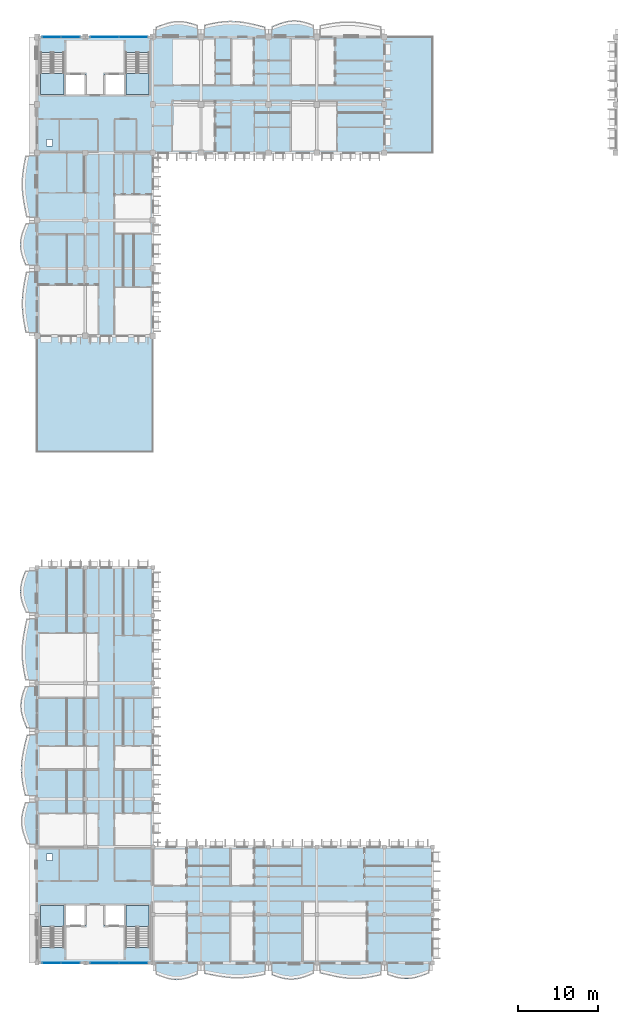
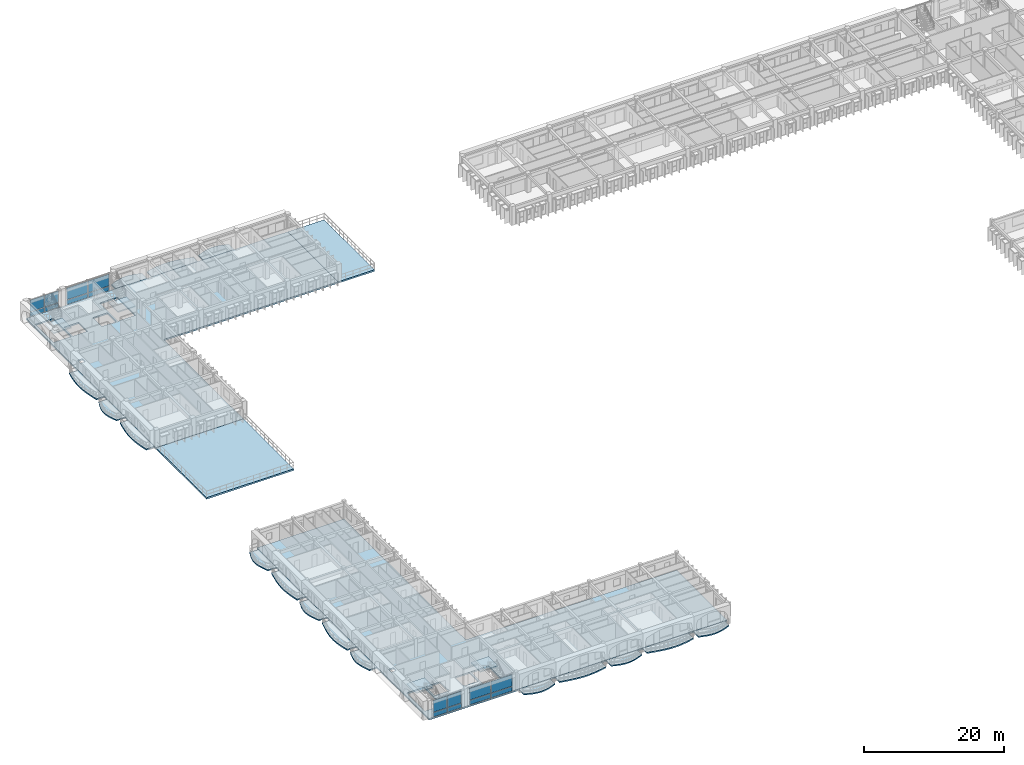
# One storey, part 10 of 66: 24 slabs, 16 plates, 8 elements without a shape of their own.
"""IFC4 building model written with IfcOpenShell, lengths in metres."""

from ifc_helpers import new_model, si_unit, direction, frame, origin, origin_2d, place, context, subcontext, project, spatial, polyline, rectangle, outline, extrude, material, layer, layer_set, type_object, element, aggregate, save


model = new_model("IFC4")

# Units and contexts
model_context = context("Model", 3, precision=1e-05, world=origin(), true_north=direction((0.0, 1.0)))
body_context = subcontext(model_context, "Body", "Model", "MODEL_VIEW")
ifc_project = project(units=[si_unit("LENGTHUNIT", "METRE"), si_unit("AREAUNIT", "SQUARE_METRE"), si_unit("VOLUMEUNIT", "CUBIC_METRE"), si_unit("PLANEANGLEUNIT", "RADIAN"), si_unit("MASSUNIT", "GRAM", prefix="KILO"), si_unit("THERMODYNAMICTEMPERATUREUNIT", "KELVIN")], contexts=[model_context])

# Site, building, storey
site_placement = place(None, origin())
site = spatial("IfcSite", under=ifc_project, at=site_placement, CompositionType="ELEMENT")
building_placement = place(site_placement, origin())
building = spatial("IfcBuilding", under=site, at=building_placement, Name="Thalorik Housing Commons", CompositionType="ELEMENT")
storey_placement = place(building_placement, frame((0.0, 0.0, 21.300048828125)))
storey = spatial("IfcBuildingStorey", under=building, at=storey_placement, Name="L06", CompositionType="ELEMENT", Elevation=21.300048828125)

# Curtain wall, plates
ifc_material_1 = material(Name="Anodised aluminium and solar-control low-E glass", Category="aluminium")
curtain_wall_type = type_object("IfcCurtainWallType", Name="ARC-CW-CORE", PredefinedType="USERDEFINED", material=ifc_material_1)
curtain_wall_1_placement = place(storey_placement, origin())
curtain_wall_1 = element("IfcCurtainWall", 1, at=curtain_wall_1_placement, inside=storey, type_object=curtain_wall_type, Name="L06 Curtain Wall CW-CORE-L06-C-153", ObjectType="CURTAIN WALL", PredefinedType="USERDEFINED")
ifc_material_2 = material(Name="Cobalt blue enamelled aluminium spandrel panel", Category="aluminium")
ifc_layer_1 = layer(ifc_material_2, 0.0458984375, Name="Cobalt blue enamelled aluminium spandrel panel", Category="aluminium")
ifc_layer_set_1 = layer_set([ifc_layer_1], Name="Cobalt blue enamelled aluminium spandrel panel")
plate_type_1 = type_object("IfcPlateType", Name="ARC-CP-BLU-46", PredefinedType="CURTAIN_PANEL", material=ifc_layer_set_1)
plate_1_placement = place(storey_placement, frame((10.22509765625, 8.39990234375, 0.080078125), z_axis=(0.0, 0.0, 1.0), x_axis=(1.0, 0.0, 0.0)))
plate_1 = element("IfcPlate", 2, at=plate_1_placement, type_object=plate_type_1, Name="CW-CORE-L06-C-153 Spandrel Panel 1", PredefinedType="CURTAIN_PANEL", context=body_context, shape_type="SweptSolid", body=[
    extrude(rectangle(XDim=2.2900390625, YDim=0.0458984375, at=origin_2d()), origin(), (0.0, 0.0, 1.0), 0.760009765625),
])
plate_2_placement = place(storey_placement, frame((12.574951171875, 8.39990234375, 0.080078125), z_axis=(0.0, 0.0, 1.0), x_axis=(1.0, 0.0, 0.0)))
plate_2 = element("IfcPlate", 3, at=plate_2_placement, type_object=plate_type_1, Name="CW-CORE-L06-C-153 Spandrel Panel 2", PredefinedType="CURTAIN_PANEL", context=body_context, shape_type="SweptSolid", body=[
    extrude(rectangle(XDim=2.2900390625, YDim=0.0458984375, at=origin_2d()), origin(), (0.0, 0.0, 1.0), 0.760009765625),
])

curtain_wall_2_placement = place(storey_placement, origin())
curtain_wall_2 = element("IfcCurtainWall", 4, at=curtain_wall_2_placement, inside=storey, type_object=curtain_wall_type, Name="L06 Curtain Wall CW-CORE-L06-A-027", ObjectType="CURTAIN WALL", PredefinedType="USERDEFINED")
ifc_material_3 = material(Name="Double solar-control low-E glass", Category="glass")
ifc_layer_2 = layer(ifc_material_3, 0.028076171875, Name="Double solar-control low-E glass", Category="glass")
ifc_layer_set_2 = layer_set([ifc_layer_2], Name="Double solar-control low-E glass")
plate_type_2 = type_object("IfcPlateType", Name="ARC-CP-GLZ-28", PredefinedType="CURTAIN_PANEL", material=ifc_layer_set_2)
plate_3_placement = place(storey_placement, frame((20.375, 123.60009765625, 0.919921875), z_axis=(0.0, 0.0, 1.0), x_axis=(-1.0, 0.0, 0.0)))
plate_3 = element("IfcPlate", 5, at=plate_3_placement, type_object=plate_type_2, Name="CW-CORE-L06-A-027 Vision Panel 1", PredefinedType="CURTAIN_PANEL", context=body_context, shape_type="SweptSolid", body=[
    extrude(rectangle(XDim=3.489990234375, YDim=0.028076171875, at=origin_2d()), origin(), (0.0, 0.0, 1.0), 2.0400390625),
])
plate_4_placement = place(storey_placement, frame((16.824951171875, 123.60009765625, 0.919921875), z_axis=(0.0, 0.0, 1.0), x_axis=(-1.0, 0.0, 0.0)))
plate_4 = element("IfcPlate", 6, at=plate_4_placement, type_object=plate_type_2, Name="CW-CORE-L06-A-027 Vision Panel 2", PredefinedType="CURTAIN_PANEL", context=body_context, shape_type="SweptSolid", body=[
    extrude(rectangle(XDim=3.489990234375, YDim=0.028076171875, at=origin_2d()), origin(), (0.0, 0.0, 1.0), 2.0400390625),
])

curtain_wall_3_placement = place(storey_placement, origin())
curtain_wall_3 = element("IfcCurtainWall", 7, at=curtain_wall_3_placement, inside=storey, type_object=curtain_wall_type, Name="L06 Curtain Wall CW-CORE-L06-A-028", ObjectType="CURTAIN WALL", PredefinedType="USERDEFINED")
plate_5_placement = place(storey_placement, frame((12.574951171875, 123.60009765625, 0.919921875), z_axis=(0.0, 0.0, 1.0), x_axis=(-1.0, 0.0, 0.0)))
plate_5 = element("IfcPlate", 8, at=plate_5_placement, type_object=plate_type_2, Name="CW-CORE-L06-A-028 Vision Panel 1", PredefinedType="CURTAIN_PANEL", context=body_context, shape_type="SweptSolid", body=[
    extrude(rectangle(XDim=2.2900390625, YDim=0.028076171875, at=origin_2d()), origin(), (0.0, 0.0, 1.0), 2.0400390625),
])
plate_6_placement = place(storey_placement, frame((10.22509765625, 123.60009765625, 0.919921875), z_axis=(0.0, 0.0, 1.0), x_axis=(-1.0, 0.0, 0.0)))
plate_6 = element("IfcPlate", 9, at=plate_6_placement, type_object=plate_type_2, Name="CW-CORE-L06-A-028 Vision Panel 2", PredefinedType="CURTAIN_PANEL", context=body_context, shape_type="SweptSolid", body=[
    extrude(rectangle(XDim=2.2900390625, YDim=0.028076171875, at=origin_2d()), origin(), (0.0, 0.0, 1.0), 2.0400390625),
])

# Plate
plate_7_placement = place(storey_placement, frame((10.22509765625, 8.39990234375, 0.919921875), z_axis=(0.0, 0.0, 1.0), x_axis=(1.0, 0.0, 0.0)))
plate_7 = element("IfcPlate", 10, at=plate_7_placement, type_object=plate_type_2, Name="CW-CORE-L06-C-153 Vision Panel 1", PredefinedType="CURTAIN_PANEL", context=body_context, shape_type="SweptSolid", body=[
    extrude(rectangle(XDim=2.2900390625, YDim=0.028076171875, at=origin_2d()), origin(), (0.0, 0.0, 1.0), 2.0400390625),
])

plate_8_placement = place(storey_placement, frame((12.574951171875, 8.39990234375, 0.919921875), z_axis=(0.0, 0.0, 1.0), x_axis=(1.0, 0.0, 0.0)))
plate_8 = element("IfcPlate", 11, at=plate_8_placement, type_object=plate_type_2, Name="CW-CORE-L06-C-153 Vision Panel 2", PredefinedType="CURTAIN_PANEL", context=body_context, shape_type="SweptSolid", body=[
    extrude(rectangle(XDim=2.2900390625, YDim=0.028076171875, at=origin_2d()), origin(), (0.0, 0.0, 1.0), 2.0400390625),
])

aggregate(curtain_wall_1, [plate_1, plate_7, plate_2, plate_8])

# Curtain wall, plates
curtain_wall_4_placement = place(storey_placement, origin())
curtain_wall_4 = element("IfcCurtainWall", 12, at=curtain_wall_4_placement, inside=storey, type_object=curtain_wall_type, Name="L06 Curtain Wall CW-CORE-L06-C-154", ObjectType="CURTAIN WALL", PredefinedType="USERDEFINED")
plate_9_placement = place(storey_placement, frame((16.824951171875, 8.39990234375, 0.919921875), z_axis=(0.0, 0.0, 1.0), x_axis=(1.0, 0.0, 0.0)))
plate_9 = element("IfcPlate", 13, at=plate_9_placement, type_object=plate_type_2, Name="CW-CORE-L06-C-154 Vision Panel 1", PredefinedType="CURTAIN_PANEL", context=body_context, shape_type="SweptSolid", body=[
    extrude(rectangle(XDim=3.489990234375, YDim=0.028076171875, at=origin_2d()), origin(), (0.0, 0.0, 1.0), 2.0400390625),
])
plate_10_placement = place(storey_placement, frame((20.375, 8.39990234375, 0.919921875), z_axis=(0.0, 0.0, 1.0), x_axis=(1.0, 0.0, 0.0)))
plate_10 = element("IfcPlate", 14, at=plate_10_placement, type_object=plate_type_2, Name="CW-CORE-L06-C-154 Vision Panel 2", PredefinedType="CURTAIN_PANEL", context=body_context, shape_type="SweptSolid", body=[
    extrude(rectangle(XDim=3.489990234375, YDim=0.028076171875, at=origin_2d()), origin(), (0.0, 0.0, 1.0), 2.0400390625),
])

# Plate
ifc_material_4 = material(Name="Oxide red enamelled aluminium spandrel panel", Category="aluminium")
ifc_layer_3 = layer(ifc_material_4, 0.0419921875, Name="Oxide red enamelled aluminium spandrel panel", Category="aluminium")
ifc_layer_set_3 = layer_set([ifc_layer_3], Name="Oxide red enamelled aluminium spandrel panel")
plate_type_3 = type_object("IfcPlateType", Name="ARC-CP-RED-42", PredefinedType="CURTAIN_PANEL", material=ifc_layer_set_3)
plate_11_placement = place(storey_placement, frame((12.574951171875, 123.60009765625, 0.080078125), z_axis=(0.0, 0.0, 1.0), x_axis=(-1.0, 0.0, 0.0)))
plate_11 = element("IfcPlate", 15, at=plate_11_placement, type_object=plate_type_3, Name="CW-CORE-L06-A-028 Spandrel Panel 1", PredefinedType="CURTAIN_PANEL", context=body_context, shape_type="SweptSolid", body=[
    extrude(rectangle(XDim=2.2900390625, YDim=0.0419921875, at=origin_2d()), origin(), (0.0, 0.0, 1.0), 0.760009765625),
])

plate_12_placement = place(storey_placement, frame((10.22509765625, 123.60009765625, 0.080078125), z_axis=(0.0, 0.0, 1.0), x_axis=(-1.0, 0.0, 0.0)))
plate_12 = element("IfcPlate", 16, at=plate_12_placement, type_object=plate_type_3, Name="CW-CORE-L06-A-028 Spandrel Panel 2", PredefinedType="CURTAIN_PANEL", context=body_context, shape_type="SweptSolid", body=[
    extrude(rectangle(XDim=2.2900390625, YDim=0.0419921875, at=origin_2d()), origin(), (0.0, 0.0, 1.0), 0.760009765625),
])

aggregate(curtain_wall_3, [plate_11, plate_5, plate_12, plate_6])

ifc_material_5 = material(Name="Mineral ochre yellow aluminium spandrel panel", Category="aluminium")
ifc_layer_4 = layer(ifc_material_5, 0.050048828125, Name="Mineral ochre yellow aluminium spandrel panel", Category="aluminium")
ifc_layer_set_4 = layer_set([ifc_layer_4], Name="Mineral ochre yellow aluminium spandrel panel")
plate_type_4 = type_object("IfcPlateType", Name="ARC-CP-YEL-50", PredefinedType="CURTAIN_PANEL", material=ifc_layer_set_4)
plate_13_placement = place(storey_placement, frame((20.375, 123.60009765625, 0.080078125), z_axis=(0.0, 0.0, 1.0), x_axis=(-1.0, 0.0, 0.0)))
plate_13 = element("IfcPlate", 17, at=plate_13_placement, type_object=plate_type_4, Name="CW-CORE-L06-A-027 Spandrel Panel 1", PredefinedType="CURTAIN_PANEL", context=body_context, shape_type="SweptSolid", body=[
    extrude(rectangle(XDim=3.489990234375, YDim=0.050048828125, at=origin_2d()), origin(), (0.0, 0.0, 1.0), 0.760009765625),
])

plate_14_placement = place(storey_placement, frame((16.824951171875, 123.60009765625, 0.080078125), z_axis=(0.0, 0.0, 1.0), x_axis=(-1.0, 0.0, 0.0)))
plate_14 = element("IfcPlate", 18, at=plate_14_placement, type_object=plate_type_4, Name="CW-CORE-L06-A-027 Spandrel Panel 2", PredefinedType="CURTAIN_PANEL", context=body_context, shape_type="SweptSolid", body=[
    extrude(rectangle(XDim=3.489990234375, YDim=0.050048828125, at=origin_2d()), origin(), (0.0, 0.0, 1.0), 0.760009765625),
])

aggregate(curtain_wall_2, [plate_13, plate_3, plate_14, plate_4])

plate_15_placement = place(storey_placement, frame((16.824951171875, 8.39990234375, 0.080078125), z_axis=(0.0, 0.0, 1.0), x_axis=(1.0, 0.0, 0.0)))
plate_15 = element("IfcPlate", 19, at=plate_15_placement, type_object=plate_type_4, Name="CW-CORE-L06-C-154 Spandrel Panel 1", PredefinedType="CURTAIN_PANEL", context=body_context, shape_type="SweptSolid", body=[
    extrude(rectangle(XDim=3.489990234375, YDim=0.050048828125, at=origin_2d()), origin(), (0.0, 0.0, 1.0), 0.760009765625),
])

plate_16_placement = place(storey_placement, frame((20.375, 8.39990234375, 0.080078125), z_axis=(0.0, 0.0, 1.0), x_axis=(1.0, 0.0, 0.0)))
plate_16 = element("IfcPlate", 20, at=plate_16_placement, type_object=plate_type_4, Name="CW-CORE-L06-C-154 Spandrel Panel 2", PredefinedType="CURTAIN_PANEL", context=body_context, shape_type="SweptSolid", body=[
    extrude(rectangle(XDim=3.489990234375, YDim=0.050048828125, at=origin_2d()), origin(), (0.0, 0.0, 1.0), 0.760009765625),
])

aggregate(curtain_wall_4, [plate_15, plate_9, plate_16, plate_10])

# Stair, slab
ifc_material_6 = material(Name="Precast concrete C40/50", Category="concrete")
stair_type = type_object("IfcStairType", Name="ARC-STR-1350-R20", PredefinedType="HALF_TURN_STAIR", material=ifc_material_6)
stair_1_placement = place(storey_placement, origin())
stair_1 = element("IfcStair", 21, at=stair_1_placement, inside=storey, type_object=stair_type, Name="L06 Block A Smoke-Proof Stair 1", PredefinedType="HALF_TURN_STAIR")
ifc_layer_5 = layer(ifc_material_6, 0.199951171875, Name="Precast concrete C40/50", Category="concrete")
ifc_layer_set_5 = layer_set([ifc_layer_5], Name="Precast concrete C40/50")
slab_type_1 = type_object("IfcSlabType", Name="ARC-SLB-STLND-200", PredefinedType="LANDING", material=ifc_layer_set_5)
slab_1_placement = place(storey_placement, frame((0.0, 0.0, 1.449951171875)))
slab_1 = element("IfcSlab", 22, at=slab_1_placement, type_object=slab_type_1, Name="ST-A1 landing 1", PredefinedType="LANDING", context=body_context, shape_type="SweptSolid", body=[
    extrude(outline(polyline([(8.85009765625, 119.090087890625), (8.85009765625, 116.449951171875), (11.75, 116.449951171875), (11.75, 119.090087890625), (8.85009765625, 119.090087890625)])), origin(), (0.0, 0.0, 1.0), 0.199951171875),
])
aggregate(stair_1, [slab_1])

stair_2_placement = place(storey_placement, origin())
stair_2 = element("IfcStair", 23, at=stair_2_placement, inside=storey, type_object=stair_type, Name="L06 Block A Smoke-Proof Stair 2", PredefinedType="HALF_TURN_STAIR")
slab_2_placement = place(storey_placement, frame((0.0, 0.0, 1.449951171875)))
slab_2 = element("IfcSlab", 24, at=slab_2_placement, type_object=slab_type_1, Name="ST-A2 landing 1", PredefinedType="LANDING", context=body_context, shape_type="SweptSolid", body=[
    extrude(outline(polyline([(19.449951171875, 119.090087890625), (19.449951171875, 116.449951171875), (22.35009765625, 116.449951171875), (22.35009765625, 119.090087890625), (19.449951171875, 119.090087890625)])), origin(), (0.0, 0.0, 1.0), 0.199951171875),
])
aggregate(stair_2, [slab_2])

stair_3_placement = place(storey_placement, origin())
stair_3 = element("IfcStair", 25, at=stair_3_placement, inside=storey, type_object=stair_type, Name="L06 Block C Smoke-Proof Stair 1", PredefinedType="HALF_TURN_STAIR")
slab_3_placement = place(storey_placement, frame((0.0, 0.0, 1.449951171875)))
slab_3 = element("IfcSlab", 26, at=slab_3_placement, type_object=slab_type_1, Name="ST-C1 landing 1", PredefinedType="LANDING", context=body_context, shape_type="SweptSolid", body=[
    extrude(outline(polyline([(11.75, 12.909912109375), (11.75, 15.550048828125), (8.85009765625, 15.550048828125), (8.85009765625, 12.909912109375), (11.75, 12.909912109375)])), origin(), (0.0, 0.0, 1.0), 0.199951171875),
])
aggregate(stair_3, [slab_3])

stair_4_placement = place(storey_placement, origin())
stair_4 = element("IfcStair", 27, at=stair_4_placement, inside=storey, type_object=stair_type, Name="L06 Block C Smoke-Proof Stair 2", PredefinedType="HALF_TURN_STAIR")
slab_4_placement = place(storey_placement, frame((0.0, 0.0, 1.449951171875)))
slab_4 = element("IfcSlab", 28, at=slab_4_placement, type_object=slab_type_1, Name="ST-C2 landing 1", PredefinedType="LANDING", context=body_context, shape_type="SweptSolid", body=[
    extrude(outline(polyline([(22.35009765625, 12.909912109375), (22.35009765625, 15.550048828125), (19.449951171875, 15.550048828125), (19.449951171875, 12.909912109375), (22.35009765625, 12.909912109375)])), origin(), (0.0, 0.0, 1.0), 0.199951171875),
])
aggregate(stair_4, [slab_4])

# Slabs
ifc_layer_6 = layer(ifc_material_6, 0.199951171875, Name="Precast concrete C40/50", Category="concrete")
ifc_layer_set_6 = layer_set([ifc_layer_6], Name="Precast concrete C40/50")
slab_type_2 = type_object("IfcSlabType", Name="STR-SLB-BALC-200", PredefinedType="FLOOR", material=ifc_layer_set_6)
slab_5_placement = place(storey_placement, frame((0.0, 0.0, -0.199951171875)))
element("IfcSlab", 29, at=slab_5_placement, inside=storey, type_object=slab_type_2, Name="L06 Block A Cushion Balcony 41", PredefinedType="FLOOR", context=body_context, shape_type="SweptSolid", body=[
    extrude(outline(polyline([(23.219970703125, 123.60009765625), (28.3798828125, 123.60009765625), (28.3798828125, 125.0595703125), (27.949951171875, 125.201904296875), (27.52001953125, 125.330810546875), (27.090087890625, 125.43701171875), (26.659912109375, 125.512451171875), (26.22998046875, 125.55126953125), (25.800048828125, 125.55029296875), (25.3701171875, 125.50830078125), (24.93994140625, 125.42822265625), (24.510009765625, 125.314453125), (24.080078125, 125.174072265625), (23.64990234375, 125.0166015625), (23.219970703125, 124.85205078125), (23.219970703125, 123.60009765625)])), origin(), (0.0, 0.0, 1.0), 0.199951171875),
])
slab_6_placement = place(storey_placement, frame((0.0, 0.0, -0.199951171875)))
element("IfcSlab", 30, at=slab_6_placement, inside=storey, type_object=slab_type_2, Name="L06 Block A Cushion Balcony 43", PredefinedType="FLOOR", context=body_context, shape_type="SweptSolid", body=[
    extrude(outline(polyline([(37.6201171875, 123.60009765625), (42.780029296875, 123.60009765625), (42.780029296875, 125.087646484375), (42.35009765625, 125.24560546875), (41.919921875, 125.388916015625), (41.489990234375, 125.507080078125), (41.06005859375, 125.592041015625), (40.6298828125, 125.6376953125), (40.199951171875, 125.640380859375), (39.77001953125, 125.599365234375), (39.340087890625, 125.5166015625), (38.909912109375, 125.397216796875), (38.47998046875, 125.248291015625), (38.050048828125, 125.07958984375), (37.6201171875, 124.901611328125), (37.6201171875, 123.60009765625)])), origin(), (0.0, 0.0, 1.0), 0.199951171875),
])
slab_7_placement = place(storey_placement, frame((0.0, 0.0, -0.199951171875)))
element("IfcSlab", 31, at=slab_7_placement, inside=storey, type_object=slab_type_2, Name="L06 Block A Cushion Balcony 46", PredefinedType="FLOOR", context=body_context, shape_type="SweptSolid", body=[
    extrude(outline(polyline([(8.39990234375, 95.219970703125), (8.39990234375, 100.3798828125), (6.994140625, 100.3798828125), (6.8154296875, 99.949951171875), (6.6494140625, 99.52001953125), (6.5068359375, 99.090087890625), (6.39697265625, 98.659912109375), (6.326904296875, 98.22998046875), (6.301025390625, 97.800048828125), (6.321044921875, 97.3701171875), (6.385498046875, 96.93994140625), (6.490234375, 96.510009765625), (6.628173828125, 96.080078125), (6.790283203125, 95.64990234375), (6.96630859375, 95.219970703125), (8.39990234375, 95.219970703125)])), origin(), (0.0, 0.0, 1.0), 0.199951171875),
])
slab_8_placement = place(storey_placement, frame((0.0, 0.0, -0.199951171875)))
element("IfcSlab", 32, at=slab_8_placement, inside=storey, type_object=slab_type_2, Name="L06 Block C Cushion Balcony 291", PredefinedType="FLOOR", context=body_context, shape_type="SweptSolid", body=[
    extrude(outline(polyline([(8.39990234375, 23.219970703125), (8.39990234375, 28.3798828125), (6.9404296875, 28.3798828125), (6.798095703125, 27.949951171875), (6.669189453125, 27.52001953125), (6.56298828125, 27.090087890625), (6.487548828125, 26.659912109375), (6.44873046875, 26.22998046875), (6.44970703125, 25.800048828125), (6.49169921875, 25.3701171875), (6.57177734375, 24.93994140625), (6.685546875, 24.510009765625), (6.825927734375, 24.080078125), (6.9833984375, 23.64990234375), (7.14794921875, 23.219970703125), (8.39990234375, 23.219970703125)])), origin(), (0.0, 0.0, 1.0), 0.199951171875),
])
slab_9_placement = place(storey_placement, frame((0.0, 0.0, -0.199951171875)))
element("IfcSlab", 33, at=slab_9_placement, inside=storey, type_object=slab_type_2, Name="L06 Block C Cushion Balcony 293", PredefinedType="FLOOR", context=body_context, shape_type="SweptSolid", body=[
    extrude(outline(polyline([(8.39990234375, 37.6201171875), (8.39990234375, 42.780029296875), (6.912353515625, 42.780029296875), (6.75439453125, 42.35009765625), (6.611083984375, 41.919921875), (6.492919921875, 41.489990234375), (6.407958984375, 41.06005859375), (6.3623046875, 40.6298828125), (6.359619140625, 40.199951171875), (6.400634765625, 39.77001953125), (6.4833984375, 39.340087890625), (6.602783203125, 38.909912109375), (6.751708984375, 38.47998046875), (6.92041015625, 38.050048828125), (7.098388671875, 37.6201171875), (8.39990234375, 37.6201171875)])), origin(), (0.0, 0.0, 1.0), 0.199951171875),
])
slab_10_placement = place(storey_placement, frame((0.0, 0.0, -0.199951171875)))
element("IfcSlab", 34, at=slab_10_placement, inside=storey, type_object=slab_type_2, Name="L06 Block C Cushion Balcony 295", PredefinedType="FLOOR", context=body_context, shape_type="SweptSolid", body=[
    extrude(outline(polyline([(8.39990234375, 52.02001953125), (8.39990234375, 57.179931640625), (6.95361328125, 57.179931640625), (6.77978515625, 56.75), (6.619873046875, 56.320068359375), (6.484619140625, 55.889892578125), (6.3828125, 55.4599609375), (6.3212890625, 55.030029296875), (6.30419921875, 54.60009765625), (6.332763671875, 54.169921875), (6.4052734375, 53.739990234375), (6.517578125, 53.31005859375), (6.661865234375, 52.8798828125), (6.82958984375, 52.449951171875), (7.00927734375, 52.02001953125), (8.39990234375, 52.02001953125)])), origin(), (0.0, 0.0, 1.0), 0.199951171875),
])
slab_11_placement = place(storey_placement, frame((0.0, 0.0, -0.199951171875)))
element("IfcSlab", 35, at=slab_11_placement, inside=storey, type_object=slab_type_2, Name="L06 Block C Cushion Balcony 296", PredefinedType="FLOOR", context=body_context, shape_type="SweptSolid", body=[
    extrude(outline(polyline([(23.219970703125, 6.96630859375), (23.64990234375, 6.790283203125), (24.080078125, 6.628173828125), (24.510009765625, 6.490234375), (24.93994140625, 6.385498046875), (25.3701171875, 6.321044921875), (25.800048828125, 6.301025390625), (26.22998046875, 6.326904296875), (26.659912109375, 6.39697265625), (27.090087890625, 6.5068359375), (27.52001953125, 6.6494140625), (27.949951171875, 6.8154296875), (28.3798828125, 6.994140625), (28.3798828125, 8.39990234375), (23.219970703125, 8.39990234375), (23.219970703125, 6.96630859375)])), origin(), (0.0, 0.0, 1.0), 0.199951171875),
])
slab_12_placement = place(storey_placement, frame((0.0, 0.0, -0.199951171875)))
element("IfcSlab", 36, at=slab_12_placement, inside=storey, type_object=slab_type_2, Name="L06 Block C Cushion Balcony 298", PredefinedType="FLOOR", context=body_context, shape_type="SweptSolid", body=[
    extrude(outline(polyline([(37.6201171875, 6.91455078125), (38.050048828125, 6.753662109375), (38.47998046875, 6.607666015625), (38.909912109375, 6.486572265625), (39.340087890625, 6.39892578125), (39.77001953125, 6.35107421875), (40.199951171875, 6.3466796875), (40.6298828125, 6.38623046875), (41.06005859375, 6.46826171875), (41.489990234375, 6.58740234375), (41.919921875, 6.736328125), (42.35009765625, 6.906005859375), (42.780029296875, 7.0849609375), (42.780029296875, 8.39990234375), (37.6201171875, 8.39990234375), (37.6201171875, 6.91455078125)])), origin(), (0.0, 0.0, 1.0), 0.199951171875),
])
slab_13_placement = place(storey_placement, frame((0.0, 0.0, -0.199951171875)))
element("IfcSlab", 37, at=slab_13_placement, inside=storey, type_object=slab_type_2, Name="L06 Block C Cushion Balcony 300", PredefinedType="FLOOR", context=body_context, shape_type="SweptSolid", body=[
    extrude(outline(polyline([(52.02001953125, 6.93115234375), (52.449951171875, 6.78662109375), (52.8798828125, 6.656005859375), (53.31005859375, 6.54833984375), (53.739990234375, 6.47216796875), (54.169921875, 6.43310546875), (54.60009765625, 6.4345703125), (55.030029296875, 6.47705078125), (55.4599609375, 6.55859375), (55.889892578125, 6.67431640625), (56.320068359375, 6.81689453125), (56.75, 6.976806640625), (57.179931640625, 7.144287109375), (57.179931640625, 8.39990234375), (52.02001953125, 8.39990234375), (52.02001953125, 6.93115234375)])), origin(), (0.0, 0.0, 1.0), 0.199951171875),
])
ifc_layer_7 = layer(ifc_material_6, 0.219970703125, Name="Precast concrete C40/50", Category="concrete")
ifc_layer_set_7 = layer_set([ifc_layer_7], Name="Precast concrete C40/50")
slab_type_3 = type_object("IfcSlabType", Name="STR-SLB-BALC-220", PredefinedType="FLOOR", material=ifc_layer_set_7)
slab_14_placement = place(storey_placement, frame((0.0, 0.0, -0.219970703125)))
element("IfcSlab", 38, at=slab_14_placement, inside=storey, type_object=slab_type_3, Name="L06 Block A Cushion Balcony 42", PredefinedType="FLOOR", context=body_context, shape_type="SweptSolid", body=[
    extrude(outline(polyline([(29.219970703125, 123.60009765625), (36.780029296875, 123.60009765625), (36.780029296875, 124.8525390625), (36.14990234375, 125.0087890625), (35.52001953125, 125.162841796875), (34.889892578125, 125.3046875), (34.260009765625, 125.424072265625), (33.6298828125, 125.51318359375), (33.0, 125.5654296875), (32.3701171875, 125.5771484375), (31.739990234375, 125.54736328125), (31.110107421875, 125.477783203125), (30.47998046875, 125.373046875), (29.85009765625, 125.239990234375), (29.219970703125, 125.087890625), (29.219970703125, 123.60009765625)])), origin(), (0.0, 0.0, 1.0), 0.219970703125),
])
slab_15_placement = place(storey_placement, frame((0.0, 0.0, -0.219970703125)))
element("IfcSlab", 39, at=slab_15_placement, inside=storey, type_object=slab_type_3, Name="L06 Block A Cushion Balcony 45", PredefinedType="FLOOR", context=body_context, shape_type="SweptSolid", body=[
    extrude(outline(polyline([(8.39990234375, 86.820068359375), (8.39990234375, 94.3798828125), (7.052734375, 94.3798828125), (6.92529296875, 93.75), (6.8046875, 93.1201171875), (6.698974609375, 92.489990234375), (6.614990234375, 91.860107421875), (6.558837890625, 91.22998046875), (6.533935546875, 90.60009765625), (6.5419921875, 89.969970703125), (6.5830078125, 89.340087890625), (6.65380859375, 88.7099609375), (6.749755859375, 88.080078125), (6.86474609375, 87.449951171875), (6.9912109375, 86.820068359375), (8.39990234375, 86.820068359375)])), origin(), (0.0, 0.0, 1.0), 0.219970703125),
])
slab_16_placement = place(storey_placement, frame((0.0, 0.0, -0.219970703125)))
element("IfcSlab", 40, at=slab_16_placement, inside=storey, type_object=slab_type_3, Name="L06 Block A Cushion Balcony 47", PredefinedType="FLOOR", context=body_context, shape_type="SweptSolid", body=[
    extrude(outline(polyline([(8.39990234375, 101.219970703125), (8.39990234375, 108.780029296875), (6.963623046875, 108.780029296875), (6.83447265625, 108.14990234375), (6.71875, 107.52001953125), (6.62451171875, 106.889892578125), (6.557861328125, 106.260009765625), (6.52294921875, 105.6298828125), (6.522216796875, 105.0), (6.55517578125, 104.3701171875), (6.6201171875, 103.739990234375), (6.7119140625, 103.110107421875), (6.82470703125, 102.47998046875), (6.951171875, 101.85009765625), (7.082275390625, 101.219970703125), (8.39990234375, 101.219970703125)])), origin(), (0.0, 0.0, 1.0), 0.219970703125),
])
slab_17_placement = place(storey_placement, frame((0.0, 0.0, -0.219970703125)))
element("IfcSlab", 41, at=slab_17_placement, inside=storey, type_object=slab_type_3, Name="L06 Block C Cushion Balcony 292", PredefinedType="FLOOR", context=body_context, shape_type="SweptSolid", body=[
    extrude(outline(polyline([(8.39990234375, 29.219970703125), (8.39990234375, 36.780029296875), (7.1474609375, 36.780029296875), (6.9912109375, 36.14990234375), (6.837158203125, 35.52001953125), (6.6953125, 34.889892578125), (6.575927734375, 34.260009765625), (6.48681640625, 33.6298828125), (6.4345703125, 33.0), (6.4228515625, 32.3701171875), (6.45263671875, 31.739990234375), (6.522216796875, 31.110107421875), (6.626953125, 30.47998046875), (6.760009765625, 29.85009765625), (6.912109375, 29.219970703125), (8.39990234375, 29.219970703125)])), origin(), (0.0, 0.0, 1.0), 0.219970703125),
])
slab_18_placement = place(storey_placement, frame((0.0, 0.0, -0.219970703125)))
element("IfcSlab", 42, at=slab_18_placement, inside=storey, type_object=slab_type_3, Name="L06 Block C Cushion Balcony 294", PredefinedType="FLOOR", context=body_context, shape_type="SweptSolid", body=[
    extrude(outline(polyline([(8.39990234375, 43.6201171875), (8.39990234375, 51.179931640625), (7.095703125, 51.179931640625), (6.962158203125, 50.550048828125), (6.83251953125, 49.919921875), (6.715576171875, 49.2900390625), (6.619384765625, 48.659912109375), (6.55029296875, 48.030029296875), (6.513427734375, 47.39990234375), (6.510986328125, 46.77001953125), (6.543701171875, 46.139892578125), (6.609130859375, 45.510009765625), (6.703369140625, 44.8798828125), (6.820068359375, 44.25), (6.951416015625, 43.6201171875), (8.39990234375, 43.6201171875)])), origin(), (0.0, 0.0, 1.0), 0.219970703125),
])
slab_19_placement = place(storey_placement, frame((0.0, 0.0, -0.219970703125)))
element("IfcSlab", 43, at=slab_19_placement, inside=storey, type_object=slab_type_3, Name="L06 Block C Cushion Balcony 297", PredefinedType="FLOOR", context=body_context, shape_type="SweptSolid", body=[
    extrude(outline(polyline([(29.219970703125, 7.082275390625), (29.85009765625, 6.951171875), (30.47998046875, 6.82470703125), (31.110107421875, 6.7119140625), (31.739990234375, 6.6201171875), (32.3701171875, 6.55517578125), (33.0, 6.522216796875), (33.6298828125, 6.52294921875), (34.260009765625, 6.557861328125), (34.889892578125, 6.62451171875), (35.52001953125, 6.71875), (36.14990234375, 6.83447265625), (36.780029296875, 6.963623046875), (36.780029296875, 8.39990234375), (29.219970703125, 8.39990234375), (29.219970703125, 7.082275390625)])), origin(), (0.0, 0.0, 1.0), 0.219970703125),
])
slab_20_placement = place(storey_placement, frame((0.0, 0.0, -0.219970703125)))
element("IfcSlab", 44, at=slab_20_placement, inside=storey, type_object=slab_type_3, Name="L06 Block C Cushion Balcony 299", PredefinedType="FLOOR", context=body_context, shape_type="SweptSolid", body=[
    extrude(outline(polyline([(43.6201171875, 7.143310546875), (44.25, 6.9912109375), (44.8798828125, 6.84130859375), (45.510009765625, 6.70361328125), (46.139892578125, 6.58740234375), (46.77001953125, 6.500732421875), (47.39990234375, 6.44970703125), (48.030029296875, 6.438232421875), (48.659912109375, 6.46728515625), (49.2900390625, 6.534912109375), (49.919921875, 6.63671875), (50.550048828125, 6.765869140625), (51.179931640625, 6.9140625), (51.179931640625, 8.39990234375), (43.6201171875, 8.39990234375), (43.6201171875, 7.143310546875)])), origin(), (0.0, 0.0, 1.0), 0.219970703125),
])
ifc_material_7 = material(Name="Precast concrete C45/55", Category="concrete")
ifc_layer_8 = layer(ifc_material_7, 0.260009765625, Name="Precast concrete C45/55", Category="concrete")
ifc_layer_set_8 = layer_set([ifc_layer_8], Name="Precast concrete C45/55")
slab_type_4 = type_object("IfcSlabType", Name="STR-SLB-HC-260", PredefinedType="FLOOR", material=ifc_layer_set_8)
slab_21_placement = place(storey_placement, frame((0.0, 0.0, -0.260009765625)))
element("IfcSlab", 45, at=slab_21_placement, inside=storey, type_object=slab_type_4, Name="L06 Residential Block A Floor Slab", PredefinedType="FLOOR", context=body_context, shape_type="SweptSolid", body=[
    extrude(outline(polyline([(8.39990234375, 123.60009765625), (8.39990234375, 109.199951171875), (8.39990234375, 86.39990234375), (22.800048828125, 86.39990234375), (22.800048828125, 109.199951171875), (51.60009765625, 109.199951171875), (51.60009765625, 123.60009765625), (8.39990234375, 123.60009765625)]), holes=[polyline([(8.85009765625, 121.64990234375), (11.75, 121.64990234375), (11.75, 116.449951171875), (8.85009765625, 116.449951171875), (8.85009765625, 121.64990234375)]), polyline([(22.35009765625, 121.64990234375), (22.35009765625, 116.449951171875), (19.449951171875, 116.449951171875), (19.449951171875, 121.64990234375), (22.35009765625, 121.64990234375)]), polyline([(14.39990234375, 119.0), (14.39990234375, 116.449951171875), (12.0, 116.449951171875), (12.0, 119.0), (14.39990234375, 119.0)]), polyline([(19.199951171875, 116.449951171875), (16.800048828125, 116.449951171875), (16.800048828125, 119.0), (19.199951171875, 119.0), (19.199951171875, 116.449951171875)]), polyline([(9.550048828125, 110.050048828125), (9.550048828125, 110.85009765625), (10.35009765625, 110.85009765625), (10.35009765625, 110.050048828125), (9.550048828125, 110.050048828125)])]), origin(), (0.0, 0.0, 1.0), 0.260009765625),
])
slab_22_placement = place(storey_placement, frame((0.0, 0.0, -0.260009765625)))
element("IfcSlab", 46, at=slab_22_placement, inside=storey, type_object=slab_type_4, Name="L06 Residential Block C Floor Slab", PredefinedType="FLOOR", context=body_context, shape_type="SweptSolid", body=[
    extrude(outline(polyline([(8.39990234375, 8.39990234375), (22.800048828125, 8.39990234375), (57.60009765625, 8.39990234375), (57.60009765625, 22.800048828125), (22.800048828125, 22.800048828125), (22.800048828125, 57.60009765625), (8.39990234375, 57.60009765625), (8.39990234375, 8.39990234375)]), holes=[polyline([(11.75, 10.35009765625), (8.85009765625, 10.35009765625), (8.85009765625, 15.550048828125), (11.75, 15.550048828125), (11.75, 10.35009765625)]), polyline([(19.449951171875, 10.35009765625), (19.449951171875, 15.550048828125), (22.35009765625, 15.550048828125), (22.35009765625, 10.35009765625), (19.449951171875, 10.35009765625)]), polyline([(14.39990234375, 15.550048828125), (14.39990234375, 13.0), (12.0, 13.0), (12.0, 15.550048828125), (14.39990234375, 15.550048828125)]), polyline([(19.199951171875, 13.0), (16.800048828125, 13.0), (16.800048828125, 15.550048828125), (19.199951171875, 15.550048828125), (19.199951171875, 13.0)]), polyline([(9.550048828125, 21.14990234375), (9.550048828125, 21.949951171875), (10.35009765625, 21.949951171875), (10.35009765625, 21.14990234375), (9.550048828125, 21.14990234375)])]), origin(), (0.0, 0.0, 1.0), 0.260009765625),
])
ifc_layer_9 = layer(ifc_material_7, 0.280029296875, Name="Precast concrete C45/55", Category="concrete")
ifc_layer_set_9 = layer_set([ifc_layer_9], Name="Precast concrete C45/55")
slab_type_5 = type_object("IfcSlabType", Name="STR-SLB-TERR-280", PredefinedType="FLOOR", material=ifc_layer_set_9)
slab_23_placement = place(storey_placement, frame((0.0, 0.0, -0.280029296875)))
element("IfcSlab", 47, at=slab_23_placement, inside=storey, type_object=slab_type_5, Name="L06 Block A L06 East Sky-Garden Terrace", PredefinedType="FLOOR", context=body_context, shape_type="SweptSolid", body=[
    extrude(outline(polyline([(57.60009765625, 109.199951171875), (57.60009765625, 123.60009765625), (51.60009765625, 123.60009765625), (51.60009765625, 109.199951171875), (57.60009765625, 109.199951171875)])), origin(), (0.0, 0.0, 1.0), 0.280029296875),
])
slab_24_placement = place(storey_placement, frame((0.0, 0.0, -0.280029296875)))
element("IfcSlab", 48, at=slab_24_placement, inside=storey, type_object=slab_type_5, Name="L06 Block A L06 South Sky-Garden Terrace", PredefinedType="FLOOR", context=body_context, shape_type="SweptSolid", body=[
    extrude(outline(polyline([(22.800048828125, 72.0), (22.800048828125, 86.39990234375), (8.39990234375, 86.39990234375), (8.39990234375, 72.0), (22.800048828125, 72.0)])), origin(), (0.0, 0.0, 1.0), 0.280029296875),
])

save(model, "model.ifc")
